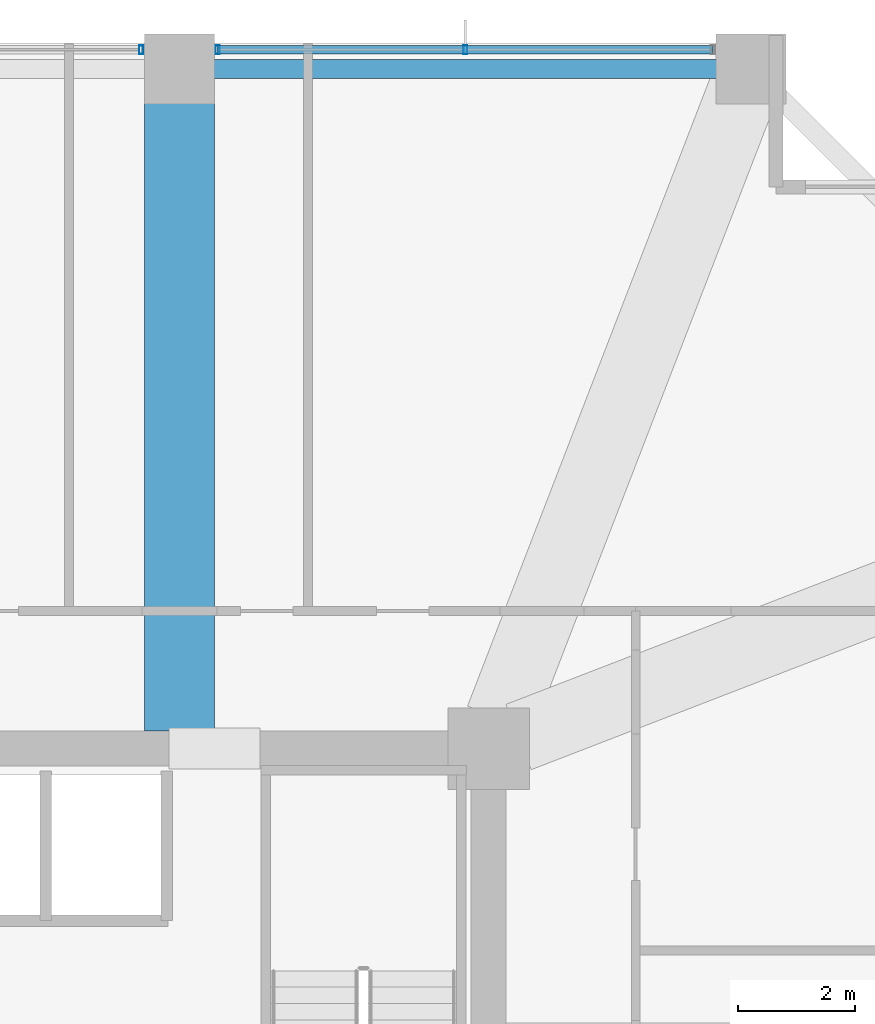
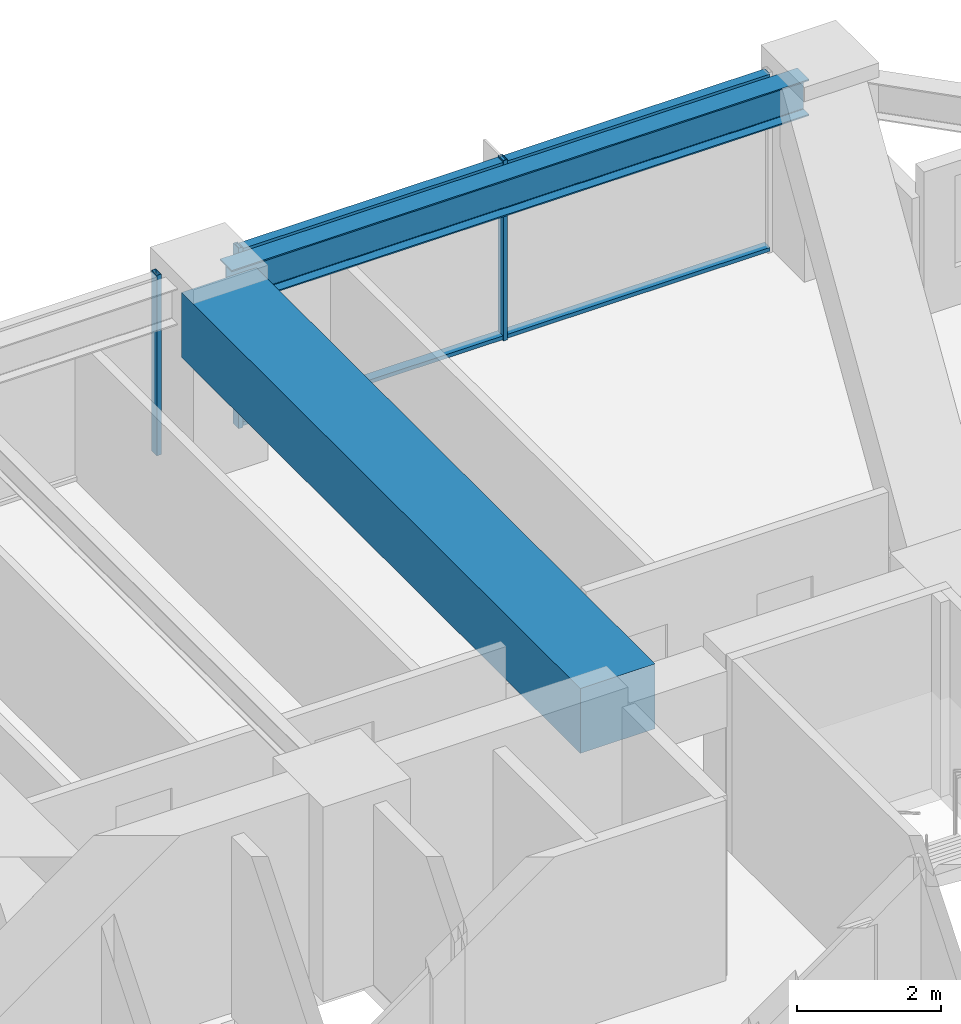
# One storey, part 22 of 37: 5 members, 2 beams, 2 elements without a shape of their own.
"""IFC4 building model written with IfcOpenShell, lengths in metres."""

import ifcopenshell
import ifcopenshell.guid

model = None  # the IFC model being written
_history = None  # IfcOwnerHistory: only IFC2X3 demands one
_inside = {}  # id of a spatial element -> (the spatial element, [elements in it])
_under = {}  # id of a project, library or spatial element -> (it, [spatial elements below it])
_declared = {}  # id of a project -> (the project, [libraries it declares])
_typed = {}  # id of a type object -> (the type object, [elements of that type])
_made_of = {}  # id of a material, layer set ... -> (it, [elements and type objects made of it])


def new_model(schema):
    """Start an empty IFC model of exactly this schema.

    Asked for "IFC4X3", IfcOpenShell would pick the latest addendum, in which some entities
    have other attributes; the version numbers below select the first issue.
    IFC2X3 requires an IfcOwnerHistory on every rooted entity: one is made here for all.
    """
    global model, _history
    if schema == "IFC4X3":
        model = ifcopenshell.file(schema_version=(4, 3, 0, 0))
    else:
        model = ifcopenshell.file(schema=schema)
    _inside.clear()
    _under.clear()
    _declared.clear()
    _typed.clear()
    _made_of.clear()
    _history = None
    if model.schema == "IFC2X3":
        org = make("IfcOrganization", Name="unknown")
        user = make(
            "IfcPersonAndOrganization",
            ThePerson=make("IfcPerson", FamilyName="unknown"),
            TheOrganization=org,
        )
        app = make(
            "IfcApplication",
            ApplicationDeveloper=org,
            Version="unknown",
            ApplicationFullName="unknown",
            ApplicationIdentifier="unknown",
        )
        _history = make(
            "IfcOwnerHistory",
            OwningUser=user,
            OwningApplication=app,
            ChangeAction="ADDED",
            CreationDate=0,
        )
    return model


def make(cls, **values):
    """One entity of the class cls with the attributes given. An attribute that is None is left unset."""
    return model.create_entity(
        cls, **{name: value for name, value in values.items() if value is not None}
    )


def rooted(cls, **values):
    """An entity with a GlobalId (a new one), such as an element, a storey or a relation."""
    return make(cls, GlobalId=ifcopenshell.guid.new(), OwnerHistory=_history, **values)


def si_unit(unit_type, name, prefix=None):
    """IfcSIUnit, for example si_unit("LENGTHUNIT", "METRE", prefix="MILLI")."""
    return make("IfcSIUnit", UnitType=unit_type, Prefix=prefix, Name=name)


def assignment(units):
    """IfcUnitAssignment: the units of a project."""
    return None if units is None else make("IfcUnitAssignment", Units=units)


def point(xyz):
    """IfcCartesianPoint."""
    return None if xyz is None else make("IfcCartesianPoint", Coordinates=xyz)


def direction(xyz):
    """IfcDirection."""
    return None if xyz is None else make("IfcDirection", DirectionRatios=xyz)


def frame(location, z_axis=None, x_axis=None):
    """IfcAxis2Placement3D, a coordinate frame: its origin and axes. An axis left out is left unset."""
    return make(
        "IfcAxis2Placement3D",
        Location=point(location),
        Axis=direction(z_axis),
        RefDirection=direction(x_axis),
    )


def frame_2d(location, x_axis=None):
    """IfcAxis2Placement2D, a coordinate frame in the plane: its origin and x axis."""
    return make(
        "IfcAxis2Placement2D", Location=point(location), RefDirection=direction(x_axis)
    )


def origin():
    """The frame at (0, 0, 0) with its axes left unset."""
    return frame((0.0, 0.0, 0.0))


def origin_2d():
    """The frame at (0, 0) in the plane with its x axis left unset."""
    return frame_2d((0.0, 0.0))


def place(relative_to, where):
    """IfcLocalPlacement: puts the frame where relative to a parent placement (None: the world)."""
    return make(
        "IfcLocalPlacement", PlacementRelTo=relative_to, RelativePlacement=where
    )


def context(
    kind, dimensions, precision=None, world=None, true_north=None, identifier=None
):
    """IfcGeometricRepresentationContext, for example the 3D "Model" context."""
    return make(
        "IfcGeometricRepresentationContext",
        ContextIdentifier=identifier,
        ContextType=kind,
        CoordinateSpaceDimension=dimensions,
        Precision=precision,
        WorldCoordinateSystem=world,
        TrueNorth=true_north,
    )


def subcontext(parent, identifier, kind, view, scale=None):
    """IfcGeometricRepresentationSubContext, for example "Body" below "Model"."""
    return make(
        "IfcGeometricRepresentationSubContext",
        ContextIdentifier=identifier,
        ContextType=kind,
        ParentContext=parent,
        TargetScale=scale,
        TargetView=view,
    )


def project(units=None, contexts=None):
    """IfcProject with its units and contexts."""
    return rooted(
        "IfcProject",
        Name="project",
        RepresentationContexts=contexts,
        UnitsInContext=assignment(units),
    )


def spatial(cls, under=None, at=None, **own):
    """A site, building, storey or space (cls), placed at a placement, below another one or the project."""
    s = rooted(cls, ObjectPlacement=at, **own)
    if under is not None:
        _under.setdefault(under.id(), (under, []))[1].append(s)
    return s


def profile(cls, at=None, kind="AREA", **sizes):
    """A parametric profile (cls). Its sizes go by their IFC names, for example OverallWidth=200.0."""
    return make(cls, ProfileType=kind, Position=at, **sizes)


def rectangle(**sizes):
    """IfcRectangleProfileDef."""
    return profile("IfcRectangleProfileDef", **sizes)


def hollow_rectangle(**sizes):
    """IfcRectangleHollowProfileDef."""
    return profile("IfcRectangleHollowProfileDef", **sizes)


def i_section(**sizes):
    """IfcIShapeProfileDef."""
    return profile("IfcIShapeProfileDef", **sizes)


def extrude(swept, where, along, depth):
    """IfcExtrudedAreaSolid: the profile swept, set in the frame where, extruded along a direction by depth."""
    return make(
        "IfcExtrudedAreaSolid",
        SweptArea=swept,
        Position=where,
        ExtrudedDirection=direction(along),
        Depth=depth,
    )


def shape(context_of_items, identifier, shape_type, items):
    """IfcShapeRepresentation: the items that make up one representation, for example the "Body"."""
    return make(
        "IfcShapeRepresentation",
        ContextOfItems=context_of_items,
        RepresentationIdentifier=identifier,
        RepresentationType=shape_type,
        Items=items,
    )


def material(Name=None, Category=None):
    """IfcMaterial."""
    return make("IfcMaterial", Name=Name, Category=Category)


def material_profile(
    of_material, cross_section, Name=None, Category=None, Priority=None
):
    """IfcMaterialProfile: a cross section and its material."""
    return make(
        "IfcMaterialProfile",
        Name=Name,
        Material=of_material,
        Profile=cross_section,
        Priority=Priority,
        Category=Category,
    )


def profile_set(profiles, Name=None, composite=None):
    """IfcMaterialProfileSet."""
    return make(
        "IfcMaterialProfileSet",
        Name=Name,
        MaterialProfiles=profiles,
        CompositeProfile=composite,
    )


def made_of(thing, what):
    """Note that an element or type object is made of a material, layer set ...; save() writes the relation."""
    if what is not None:
        _made_of.setdefault(what.id(), (what, []))[1].append(thing)
    return thing


def type_object(cls, material=None, **own):
    """A type object (cls), such as IfcWallType, which elements share."""
    return made_of(rooted(cls, **own), material)


def element(
    cls,
    number,
    at=None,
    inside=None,
    cuts=None,
    type_object=None,
    material=None,
    context=None,
    identifier="Body",
    shape_type=None,
    held_by="IfcProductDefinitionShape",
    body=None,
    shapes=None,
    **own,
):
    """One element of the class cls, such as IfcWall. Its Tag is "e" and its number.

    at: its placement. inside: the storey or other place that contains it. cuts: it is an
    opening in that element (IfcRelVoidsElement). A single representation is given by context,
    identifier, shape_type and body (its items); several are given by shapes. held_by: the class
    of the entity that holds the representations. save() writes the other relations.
    """
    e = rooted(cls, Tag="e%d" % number, ObjectPlacement=at, **own)
    if body is not None:
        shapes = [shape(context, identifier, shape_type, body)]
    if shapes is not None:
        e.Representation = make(held_by, Representations=shapes)
    if inside is not None:
        _inside.setdefault(inside.id(), (inside, []))[1].append(e)
    if cuts is not None:
        rooted(
            "IfcRelVoidsElement", RelatingBuildingElement=cuts, RelatedOpeningElement=e
        )
    if type_object is not None:
        _typed.setdefault(type_object.id(), (type_object, []))[1].append(e)
    return made_of(e, material)


def aggregate(whole, parts):
    """IfcRelAggregates: a whole, such as a stair, and the parts it consists of."""
    return rooted("IfcRelAggregates", RelatingObject=whole, RelatedObjects=parts)


def save(model, path):
    """Write the relations noted so far, then the file.

    IfcRelAggregates (storeys below a building ...), IfcRelContainedInSpatialStructure (elements
    in a storey), IfcRelDefinesByType, IfcRelAssociatesMaterial and IfcRelDeclares: one each for
    every whole, place, type object, material and project.
    """
    for whole, parts in _under.values():
        aggregate(whole, parts)
    for where, things in _inside.values():
        rooted(
            "IfcRelContainedInSpatialStructure",
            RelatedElements=things,
            RelatingStructure=where,
        )
    for kind, things in _typed.values():
        rooted("IfcRelDefinesByType", RelatedObjects=things, RelatingType=kind)
    for what, things in _made_of.values():
        rooted("IfcRelAssociatesMaterial", RelatedObjects=things, RelatingMaterial=what)
    for by, libraries in _declared.values():
        rooted("IfcRelDeclares", RelatingContext=by, RelatedDefinitions=libraries)
    model.write(path)


model = new_model("IFC4")

# Units and contexts
model_context = context("Model", 3, precision=1e-05, world=origin(), true_north=direction((0.0, 1.0)))
body_context = subcontext(model_context, "Body", "Model", "MODEL_VIEW")
ifc_project = project(units=[si_unit("LENGTHUNIT", "METRE"), si_unit("AREAUNIT", "SQUARE_METRE"), si_unit("VOLUMEUNIT", "CUBIC_METRE"), si_unit("PLANEANGLEUNIT", "RADIAN"), si_unit("MASSUNIT", "GRAM", prefix="KILO")], contexts=[model_context])

# Site, building, storey
site_placement = place(None, origin())
site = spatial("IfcSite", under=ifc_project, at=site_placement, CompositionType="ELEMENT")
building_placement = place(site_placement, origin())
building = spatial("IfcBuilding", under=site, at=building_placement, Name="Kolvaren Belvedere", CompositionType="ELEMENT")
storey_placement = place(building_placement, frame((0.0, 0.0, 37.0)))
storey = spatial("IfcBuildingStorey", under=building, at=storey_placement, Name="L10", CompositionType="ELEMENT", Elevation=37.0)

# Beams
ifc_material_1 = material(Name="Structural steel ASTM A992 Grade 50", Category="steel")
ifc_material_profile_1 = material_profile(ifc_material_1, i_section(OverallWidth=0.324951171875, OverallDepth=0.615966796875, WebThickness=0.013916015625, FlangeThickness=0.021484375, FilletRadius=0.02001953125, at=origin_2d()), Name="W24X117")
ifc_profile_set_1 = profile_set([ifc_material_profile_1], Name="Structural steel ASTM A992 Grade 50")
beam_type_1 = type_object("IfcBeamType", Name="BM-SPAN-W24X117", PredefinedType="SPANDREL", material=ifc_profile_set_1)
beam_1_placement = place(storey_placement, frame((14.1298828125, 21.550048828125, 2.751953125), z_axis=(-1.0, 0.0, 0.0), x_axis=(0.0, -1.0, 0.0)))
element("IfcBeam", 1, at=beam_1_placement, inside=storey, type_object=beam_type_1, Name="L10 Perimeter Spandrel N4-N3", PredefinedType="SPANDREL", context=body_context, shape_type="SweptSolid", body=[
    extrude(i_section(OverallWidth=0.324951171875, OverallDepth=0.615966796875, WebThickness=0.013916015625, FlangeThickness=0.021484375, FilletRadius=0.02001953125, at=origin_2d()), origin(), (0.0, 0.0, 1.0), 9.259765625),
])
ifc_material_2 = material(Name="Concrete C50/60", Category="concrete")
ifc_material_profile_2 = material_profile(ifc_material_2, rectangle(XDim=1.199951171875, YDim=1.10009765625, at=origin_2d()), Name="RC 1200X1100")
ifc_profile_set_2 = profile_set([ifc_material_profile_2], Name="Concrete C50/60")
beam_type_2 = type_object("IfcBeamType", Name="BM-TG-1100", PredefinedType="BEAM", material=ifc_profile_set_2)
beam_2_placement = place(storey_placement, frame((4.60009765625, 10.199951171875, 2.510009765625), z_axis=(0.0, 1.0, 0.0), x_axis=(-1.0, 0.0, 0.0)))
element("IfcBeam", 2, at=beam_2_placement, inside=storey, type_object=beam_type_2, Name="L10 North Radial Girder P", PredefinedType="BEAM", context=body_context, shape_type="SweptSolid", body=[
    extrude(rectangle(XDim=1.199951171875, YDim=1.10009765625, at=origin_2d()), origin(), (0.0, 0.0, 1.0), 11.080078125),
])

# Curtain wall, member
ifc_material_3 = material(Name="Anodised pale-metal aluminium AA 6063-T6", Category="aluminium")
curtain_wall_type = type_object("IfcCurtainWallType", Name="CW-Z1-LOW", PredefinedType="NOTDEFINED", material=ifc_material_3)
curtain_wall_1_placement = place(storey_placement, origin())
curtain_wall_1 = element("IfcCurtainWall", 3, at=curtain_wall_1_placement, inside=storey, type_object=curtain_wall_type, Name="L10 Unitised Curtain Wall FCW-L10-N-B2", PredefinedType="NOTDEFINED")
ifc_material_4 = material(Name="Anodised pale-metal aluminium AA 6063-T6", Category="aluminium")
ifc_material_profile_3 = material_profile(ifc_material_4, hollow_rectangle(XDim=0.070068359375, YDim=0.14990234375, WallThickness=0.004150390625, at=origin_2d()), Name="ALU-MUL-150X70")
ifc_profile_set_3 = profile_set([ifc_material_profile_3], Name="Anodised pale-metal aluminium AA 6063-T6")
member_type_1 = type_object("IfcMemberType", Name="CW-MUL-150", PredefinedType="MULLION", material=ifc_profile_set_3)
member_1_placement = place(storey_placement, frame((3.945068359375, 21.8798828125, 0.0), z_axis=(0.0, 0.0, 1.0), x_axis=(1.0, 0.0, 0.0)))
member_1 = element("IfcMember", 4, at=member_1_placement, type_object=member_type_1, Name="FCW-L10-N-B2 Unitised Mullion 3", PredefinedType="MULLION", context=body_context, shape_type="SweptSolid", body=[
    extrude(hollow_rectangle(XDim=0.070068359375, YDim=0.14990234375, WallThickness=0.004150390625, at=origin_2d()), origin(), (0.0, 0.0, 1.0), 3.06005859375),
])
aggregate(curtain_wall_1, [member_1])

# Curtain wall, members
curtain_wall_2_placement = place(storey_placement, origin())
curtain_wall_2 = element("IfcCurtainWall", 5, at=curtain_wall_2_placement, inside=storey, type_object=curtain_wall_type, Name="L10 Unitised Curtain Wall FCW-L10-N-B3", PredefinedType="NOTDEFINED")
member_2_placement = place(storey_placement, frame((5.2548828125, 21.8798828125, 0.0), z_axis=(0.0, 0.0, 1.0), x_axis=(1.0, 0.0, 0.0)))
member_2 = element("IfcMember", 6, at=member_2_placement, type_object=member_type_1, Name="FCW-L10-N-B3 Unitised Mullion 1", PredefinedType="MULLION", context=body_context, shape_type="SweptSolid", body=[
    extrude(hollow_rectangle(XDim=0.070068359375, YDim=0.14990234375, WallThickness=0.004150390625, at=origin_2d()), origin(), (0.0, 0.0, 1.0), 3.06005859375),
])
member_3_placement = place(storey_placement, frame((9.5, 21.8798828125, 0.0), z_axis=(0.0, 0.0, 1.0), x_axis=(1.0, 0.0, 0.0)))
member_3 = element("IfcMember", 7, at=member_3_placement, type_object=member_type_1, Name="FCW-L10-N-B3 Unitised Mullion 2", PredefinedType="MULLION", context=body_context, shape_type="SweptSolid", body=[
    extrude(hollow_rectangle(XDim=0.070068359375, YDim=0.14990234375, WallThickness=0.004150390625, at=origin_2d()), origin(), (0.0, 0.0, 1.0), 3.06005859375),
])
ifc_material_5 = material(Name="Anodised pale-metal aluminium AA 6063-T6", Category="aluminium")
ifc_material_profile_4 = material_profile(ifc_material_5, hollow_rectangle(XDim=0.06494140625, YDim=0.14990234375, WallThickness=0.00390625, at=origin_2d()), Name="ALU-TRN-150X65")
ifc_profile_set_4 = profile_set([ifc_material_profile_4], Name="Anodised pale-metal aluminium AA 6063-T6")
member_type_2 = type_object("IfcMemberType", Name="CW-TRN-150", PredefinedType="USERDEFINED", material=ifc_profile_set_4)
member_4_placement = place(storey_placement, frame((5.2548828125, 21.8798828125, 0.06005859375), z_axis=(1.0, 0.0, 0.0), x_axis=(0.0, 0.0, 1.0)))
member_4 = element("IfcMember", 8, at=member_4_placement, type_object=member_type_2, Name="FCW-L10-N-B3 Sill Transom", ObjectType="TRANSOM", PredefinedType="USERDEFINED", context=body_context, shape_type="SweptSolid", body=[
    extrude(hollow_rectangle(XDim=0.06494140625, YDim=0.14990234375, WallThickness=0.00390625, at=origin_2d()), origin(), (0.0, 0.0, 1.0), 8.490234375),
])
member_5_placement = place(storey_placement, frame((5.2548828125, 21.8798828125, 3.0), z_axis=(1.0, 0.0, 0.0), x_axis=(0.0, 0.0, 1.0)))
member_5 = element("IfcMember", 9, at=member_5_placement, type_object=member_type_2, Name="FCW-L10-N-B3 Head Transom", ObjectType="TRANSOM", PredefinedType="USERDEFINED", context=body_context, shape_type="SweptSolid", body=[
    extrude(hollow_rectangle(XDim=0.06494140625, YDim=0.14990234375, WallThickness=0.00390625, at=origin_2d()), origin(), (0.0, 0.0, 1.0), 8.490234375),
])
aggregate(curtain_wall_2, [member_2, member_3, member_4, member_5])

save(model, "model.ifc")
